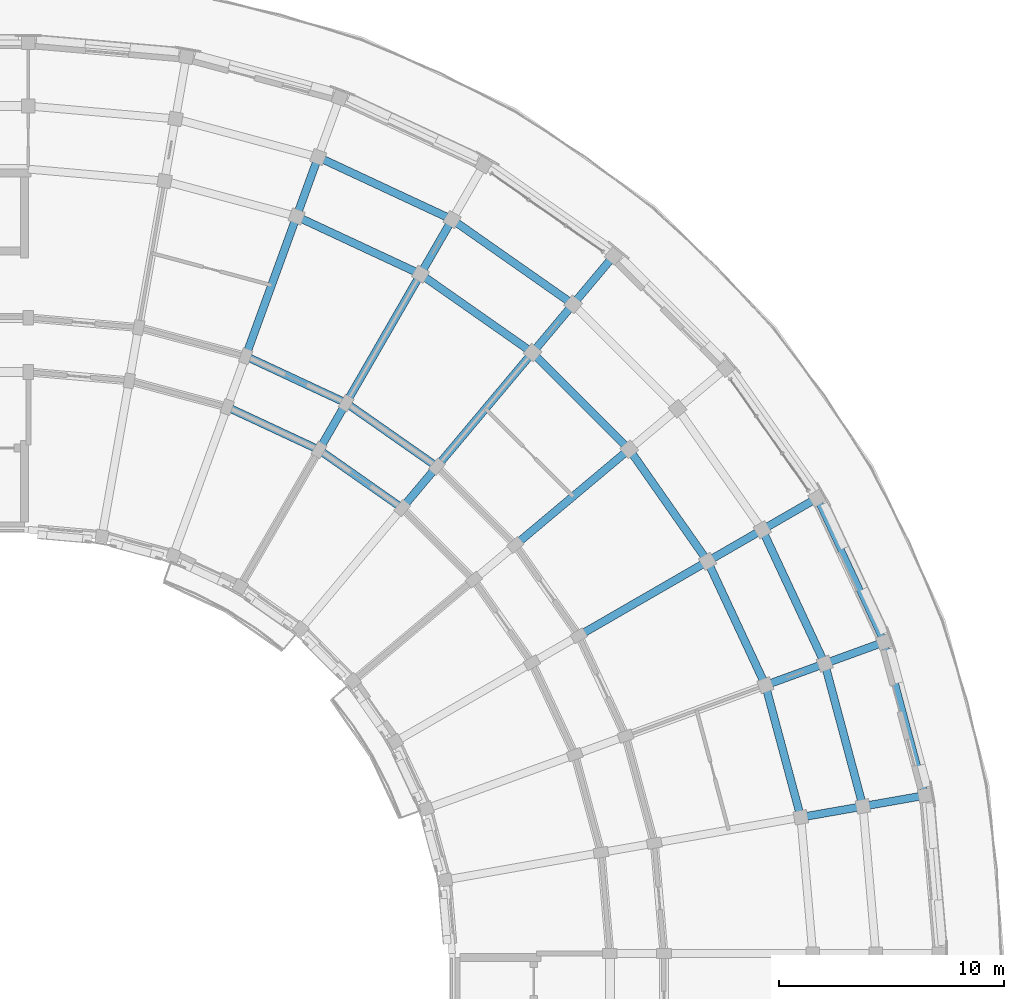
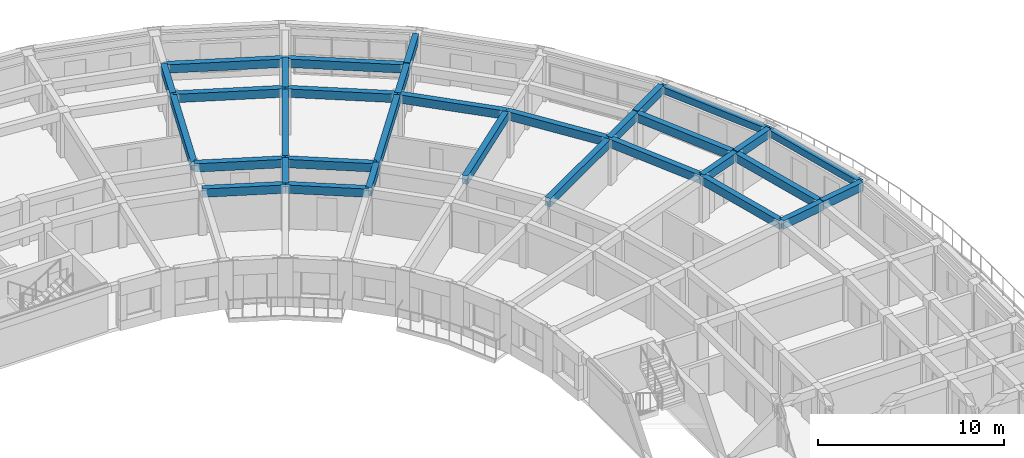
# One storey, part 9 of 41: 33 beams.
"""IFC4 building model written with IfcOpenShell, lengths in metres."""

from ifc_helpers import new_model, si_unit, direction, frame, origin, origin_2d, place, context, subcontext, project, spatial, rectangle, extrude, material, material_profile, profile_set, type_object, element, save


model = new_model("IFC4")

# Units and contexts
model_context = context("Model", 3, precision=1e-05, world=origin(), true_north=direction((0.0, 1.0)))
body_context = subcontext(model_context, "Body", "Model", "MODEL_VIEW")
ifc_project = project(units=[si_unit("LENGTHUNIT", "METRE"), si_unit("AREAUNIT", "SQUARE_METRE"), si_unit("VOLUMEUNIT", "CUBIC_METRE"), si_unit("PLANEANGLEUNIT", "RADIAN"), si_unit("MASSUNIT", "GRAM", prefix="KILO")], contexts=[model_context])

# Site, building, storey
site_placement = place(None, origin())
site = spatial("IfcSite", under=ifc_project, at=site_placement, CompositionType="ELEMENT")
building_placement = place(site_placement, origin())
building = spatial("IfcBuilding", under=site, at=building_placement, Name="Kiranvali Square Residences", CompositionType="ELEMENT")
storey_placement = place(building_placement, frame((0.0, 0.0, 33.89990234375)))
storey = spatial("IfcBuildingStorey", under=building, at=storey_placement, Name="L10", CompositionType="ELEMENT", Elevation=33.89990234375)

# Beams
ifc_material = material(Name="Concrete M40 (40 MPa)", Category="concrete")
ifc_material_profile_1 = material_profile(ifc_material, rectangle(XDim=0.35009765625, YDim=0.550048828125, at=origin_2d()), Name="RC 350x550")
ifc_profile_set_1 = profile_set([ifc_material_profile_1], Name="Concrete M40 (40 MPa)")
beam_type_1 = type_object("IfcBeamType", Name="BM-M40-350x550", PredefinedType="BEAM", material=ifc_profile_set_1)
beam_1_placement = place(storey_placement, frame((128.6240234375, 112.044189453125, 2.655029296875), z_axis=(0.906307919131, -0.422617978463, 0.0), x_axis=(0.422617978463, 0.906307919131, 0.0)))
element("IfcBeam", 1, at=beam_1_placement, inside=storey, type_object=beam_type_1, Name="L10 beam BM-B-L10-C02-R1", PredefinedType="BEAM", context=body_context, shape_type="SweptSolid", body=[
    extrude(rectangle(XDim=0.35009765625, YDim=0.550048828125, at=origin_2d()), origin(), (0.0, 0.0, 1.0), 4.497314453125),
])
beam_2_placement = place(storey_placement, frame((129.445068359375, 114.29931640625, 2.655029296875), z_axis=(0.906302381024, -0.422629854778, 0.0), x_axis=(0.422629854778, 0.906302381024, 0.0)))
element("IfcBeam", 2, at=beam_2_placement, inside=storey, type_object=beam_type_1, Name="L10 beam BM-B-L10-C02-R2", PredefinedType="BEAM", context=body_context, shape_type="SweptSolid", body=[
    extrude(rectangle(XDim=0.35009765625, YDim=0.550048828125, at=origin_2d()), origin(), (0.0, 0.0, 1.0), 4.915283203125),
])
beam_3_placement = place(storey_placement, frame((131.702392578125, 120.501220703125, 2.655029296875), z_axis=(0.906312656069, -0.42260781991, 0.0), x_axis=(0.42260781991, 0.906312656069, 0.0)))
element("IfcBeam", 3, at=beam_3_placement, inside=storey, type_object=beam_type_1, Name="L10 beam BM-B-L10-C02-R3", PredefinedType="BEAM", context=body_context, shape_type="SweptSolid", body=[
    extrude(rectangle(XDim=0.35009765625, YDim=0.550048828125, at=origin_2d()), origin(), (0.0, 0.0, 1.0), 6.06591796875),
])
beam_4_placement = place(storey_placement, frame((132.659912109375, 123.13232421875, 2.655029296875), z_axis=(0.906318225223, -0.422595876255, 0.0), x_axis=(0.422595876255, 0.906318225223, 0.0)))
element("IfcBeam", 4, at=beam_4_placement, inside=storey, type_object=beam_type_1, Name="L10 beam BM-B-L10-C02-R4", PredefinedType="BEAM", context=body_context, shape_type="SweptSolid", body=[
    extrude(rectangle(XDim=0.35009765625, YDim=0.550048828125, at=origin_2d()), origin(), (0.0, 0.0, 1.0), 6.55419921875),
])
beam_5_placement = place(storey_placement, frame((132.699951171875, 110.1435546875, 2.655029296875), z_axis=(0.819155404658, -0.573571637217, 0.0), x_axis=(0.573571637217, 0.819155404658, 0.0)))
element("IfcBeam", 5, at=beam_5_placement, inside=storey, type_object=beam_type_1, Name="L10 beam BM-B-L10-C03-R1", PredefinedType="BEAM", context=body_context, shape_type="SweptSolid", body=[
    extrude(rectangle(XDim=0.35009765625, YDim=0.550048828125, at=origin_2d()), origin(), (0.0, 0.0, 1.0), 4.497314453125),
])
beam_6_placement = place(storey_placement, frame((133.89990234375, 112.221923828125, 2.655029296875), z_axis=(0.819140911474, -0.573592335331, 0.0), x_axis=(0.573592335331, 0.819140911474, 0.0)))
element("IfcBeam", 6, at=beam_6_placement, inside=storey, type_object=beam_type_1, Name="L10 beam BM-B-L10-C03-R2", PredefinedType="BEAM", context=body_context, shape_type="SweptSolid", body=[
    extrude(rectangle(XDim=0.35009765625, YDim=0.550048828125, at=origin_2d()), origin(), (0.0, 0.0, 1.0), 4.915771484375),
])
beam_7_placement = place(storey_placement, frame((137.199951171875, 117.937744140625, 2.655029296875), z_axis=(0.81913926159, -0.573594691504, 0.0), x_axis=(0.573594691504, 0.81913926159, 0.0)))
element("IfcBeam", 7, at=beam_7_placement, inside=storey, type_object=beam_type_1, Name="L10 beam BM-B-L10-C03-R3", PredefinedType="BEAM", context=body_context, shape_type="SweptSolid", body=[
    extrude(rectangle(XDim=0.35009765625, YDim=0.550048828125, at=origin_2d()), origin(), (0.0, 0.0, 1.0), 6.066162109375),
])
beam_8_placement = place(storey_placement, frame((138.60009765625, 120.362548828125, 2.655029296875), z_axis=(0.819144409176, -0.573587340268, 0.0), x_axis=(0.573587340268, 0.819144409176, 0.0)))
element("IfcBeam", 8, at=beam_8_placement, inside=storey, type_object=beam_type_1, Name="L10 beam BM-B-L10-C03-R4", PredefinedType="BEAM", context=body_context, shape_type="SweptSolid", body=[
    extrude(rectangle(XDim=0.35009765625, YDim=0.550048828125, at=origin_2d()), origin(), (0.0, 0.0, 1.0), 6.553955078125),
])
beam_9_placement = place(storey_placement, frame((142.1689453125, 114.458251953125, 2.655029296875), z_axis=(0.707106781187, -0.707106781187, 0.0), x_axis=(0.707106781187, 0.707106781187, 0.0)))
element("IfcBeam", 9, at=beam_9_placement, inside=storey, type_object=beam_type_1, Name="L10 beam BM-B-L10-C04-R3", PredefinedType="BEAM", context=body_context, shape_type="SweptSolid", body=[
    extrude(rectangle(XDim=0.35009765625, YDim=0.550048828125, at=origin_2d()), origin(), (0.0, 0.0, 1.0), 6.06591796875),
])
beam_10_placement = place(storey_placement, frame((146.458251953125, 110.1689453125, 2.655029296875), z_axis=(0.573594691504, -0.81913926159, 0.0), x_axis=(0.81913926159, 0.573594691504, 0.0)))
element("IfcBeam", 10, at=beam_10_placement, inside=storey, type_object=beam_type_1, Name="L10 beam BM-B-L10-C05-R3", PredefinedType="BEAM", context=body_context, shape_type="SweptSolid", body=[
    extrude(rectangle(XDim=0.35009765625, YDim=0.550048828125, at=origin_2d()), origin(), (0.0, 0.0, 1.0), 6.066162109375),
])
beam_11_placement = place(storey_placement, frame((149.937744140625, 105.199951171875, 2.655029296875), z_axis=(0.42260781991, -0.906312656069, 0.0), x_axis=(0.906312656069, 0.42260781991, 0.0)))
element("IfcBeam", 11, at=beam_11_placement, inside=storey, type_object=beam_type_1, Name="L10 beam BM-B-L10-C06-R3", PredefinedType="BEAM", context=body_context, shape_type="SweptSolid", body=[
    extrude(rectangle(XDim=0.35009765625, YDim=0.550048828125, at=origin_2d()), origin(), (0.0, 0.0, 1.0), 6.06591796875),
])
beam_12_placement = place(storey_placement, frame((152.362548828125, 106.60009765625, 2.655029296875), z_axis=(0.422595876255, -0.906318225223, 0.0), x_axis=(0.906318225223, 0.422595876255, 0.0)))
element("IfcBeam", 12, at=beam_12_placement, inside=storey, type_object=beam_type_1, Name="L10 beam BM-B-L10-C06-R4", PredefinedType="BEAM", context=body_context, shape_type="SweptSolid", body=[
    extrude(rectangle(XDim=0.35009765625, YDim=0.550048828125, at=origin_2d()), origin(), (0.0, 0.0, 1.0), 6.55419921875),
])
beam_13_placement = place(storey_placement, frame((152.501220703125, 99.702392578125, 2.655029296875), z_axis=(0.258827283048, -0.965923618901, 0.0), x_axis=(0.965923618901, 0.258827283048, 0.0)))
element("IfcBeam", 13, at=beam_13_placement, inside=storey, type_object=beam_type_1, Name="L10 beam BM-B-L10-C07-R3", PredefinedType="BEAM", context=body_context, shape_type="SweptSolid", body=[
    extrude(rectangle(XDim=0.35009765625, YDim=0.550048828125, at=origin_2d()), origin(), (0.0, 0.0, 1.0), 6.066162109375),
])
beam_14_placement = place(storey_placement, frame((155.13232421875, 100.659912109375, 2.655029296875), z_axis=(0.258847178297, -0.965918287583, 0.0), x_axis=(0.965918287583, 0.258847178297, 0.0)))
element("IfcBeam", 14, at=beam_14_placement, inside=storey, type_object=beam_type_1, Name="L10 beam BM-B-L10-C07-R4", PredefinedType="BEAM", context=body_context, shape_type="SweptSolid", body=[
    extrude(rectangle(XDim=0.35009765625, YDim=0.550048828125, at=origin_2d()), origin(), (0.0, 0.0, 1.0), 6.55419921875),
])
beam_15_placement = place(storey_placement, frame((129.445068359375, 114.29931640625, 2.655029296875), z_axis=(0.342022238372, 0.939691858249, 0.0), x_axis=(-0.939691858249, 0.342022238372, 0.0)))
element("IfcBeam", 15, at=beam_15_placement, inside=storey, type_object=beam_type_1, Name="L10 beam BM-B-L10-RAD02-23", PredefinedType="BEAM", context=body_context, shape_type="SweptSolid", body=[
    extrude(rectangle(XDim=0.35009765625, YDim=0.550048828125, at=origin_2d()), origin(), (0.0, 0.0, 1.0), 6.599853515625),
])
beam_16_placement = place(storey_placement, frame((131.702392578125, 120.501220703125, 2.655029296875), z_axis=(0.341981089711, 0.93970683422, 0.0), x_axis=(-0.93970683422, 0.341981089711, 0.0)))
element("IfcBeam", 16, at=beam_16_placement, inside=storey, type_object=beam_type_1, Name="L10 beam BM-B-L10-RAD02-34", PredefinedType="BEAM", context=body_context, shape_type="SweptSolid", body=[
    extrude(rectangle(XDim=0.35009765625, YDim=0.550048828125, at=origin_2d()), origin(), (0.0, 0.0, 1.0), 2.7998046875),
])
beam_17_placement = place(storey_placement, frame((132.699951171875, 110.1435546875, 2.655029296875), z_axis=(0.500001309137, 0.866024647952, 0.0), x_axis=(-0.866024647952, 0.500001309137, 0.0)))
element("IfcBeam", 17, at=beam_17_placement, inside=storey, type_object=beam_type_1, Name="L10 beam BM-B-L10-RAD03-12", PredefinedType="BEAM", context=body_context, shape_type="SweptSolid", body=[
    extrude(rectangle(XDim=0.35009765625, YDim=0.550048828125, at=origin_2d()), origin(), (0.0, 0.0, 1.0), 2.39990234375),
])
beam_18_placement = place(storey_placement, frame((133.89990234375, 112.221923828125, 2.655029296875), z_axis=(0.500002094529, 0.866024194504, 0.0), x_axis=(-0.866024194504, 0.500002094529, 0.0)))
element("IfcBeam", 18, at=beam_18_placement, inside=storey, type_object=beam_type_1, Name="L10 beam BM-B-L10-RAD03-23", PredefinedType="BEAM", context=body_context, shape_type="SweptSolid", body=[
    extrude(rectangle(XDim=0.35009765625, YDim=0.550048828125, at=origin_2d()), origin(), (0.0, 0.0, 1.0), 6.60009765625),
])
beam_19_placement = place(storey_placement, frame((137.199951171875, 117.937744140625, 2.655029296875), z_axis=(0.500049511043, 0.865996816683, 0.0), x_axis=(-0.865996816683, 0.500049511043, 0.0)))
element("IfcBeam", 19, at=beam_19_placement, inside=storey, type_object=beam_type_1, Name="L10 beam BM-B-L10-RAD03-34", PredefinedType="BEAM", context=body_context, shape_type="SweptSolid", body=[
    extrude(rectangle(XDim=0.35009765625, YDim=0.550048828125, at=origin_2d()), origin(), (0.0, 0.0, 1.0), 2.800048828125),
])
beam_20_placement = place(storey_placement, frame((136.384033203125, 107.56396484375, 2.655029296875), z_axis=(0.642762521781, 0.766065493671, 0.0), x_axis=(-0.766065493671, 0.642762521781, 0.0)))
element("IfcBeam", 20, at=beam_20_placement, inside=storey, type_object=beam_type_1, Name="L10 beam BM-B-L10-RAD04-12", PredefinedType="BEAM", context=body_context, shape_type="SweptSolid", body=[
    extrude(rectangle(XDim=0.35009765625, YDim=0.550048828125, at=origin_2d()), origin(), (0.0, 0.0, 1.0), 2.399658203125),
])
beam_21_placement = place(storey_placement, frame((137.926513671875, 109.40234375, 2.655029296875), z_axis=(0.642789470807, 0.766042881449, 0.0), x_axis=(-0.766042881449, 0.642789470807, 0.0)))
element("IfcBeam", 21, at=beam_21_placement, inside=storey, type_object=beam_type_1, Name="L10 beam BM-B-L10-RAD04-23", PredefinedType="BEAM", context=body_context, shape_type="SweptSolid", body=[
    extrude(rectangle(XDim=0.35009765625, YDim=0.550048828125, at=origin_2d()), origin(), (0.0, 0.0, 1.0), 6.60009765625),
])
for number, where, z_axis, x_axis, name in (
    (22, (142.1689453125, 114.458251953125, 2.655029296875), (0.642770757628, 0.766058583359, 0.0), (-0.766058583359, 0.642770757628, 0.0), "L10 beam BM-B-L10-RAD04-34"),
    (23, (143.96875, 116.603271484375, 2.695068359375), (0.642770757628, 0.766058583359, 0.0), (-0.766058583359, 0.642770757628, 0.0), "L10 beam BM-B-L10-RAD04-45"),
):
    element("IfcBeam", number, at=place(storey_placement, frame(where, z_axis=z_axis, x_axis=x_axis)), inside=storey, type_object=beam_type_1, Name=name, PredefinedType="BEAM", context=body_context, shape_type="SweptSolid", body=[
        extrude(rectangle(XDim=0.35009765625, YDim=0.550048828125, at=origin_2d()), origin(), (0.0, 0.0, 1.0), 2.800048828125),
    ])
for number, where, z_axis, x_axis, name in (
    (24, (141.40234375, 105.926513671875, 2.655029296875), (0.766042881449, 0.642789470807, 0.0), (-0.642789470807, 0.766042881449, 0.0), "L10 beam BM-B-L10-RAD05-23"),
    (25, (144.221923828125, 101.89990234375, 2.655029296875), (0.866024194504, 0.500002094529, 0.0), (-0.500002094529, 0.866024194504, 0.0), "L10 beam BM-B-L10-RAD06-23"),
):
    element("IfcBeam", number, at=place(storey_placement, frame(where, z_axis=z_axis, x_axis=x_axis)), inside=storey, type_object=beam_type_1, Name=name, PredefinedType="BEAM", context=body_context, shape_type="SweptSolid", body=[
        extrude(rectangle(XDim=0.35009765625, YDim=0.550048828125, at=origin_2d()), origin(), (0.0, 0.0, 1.0), 6.60009765625),
    ])
beam_22_placement = place(storey_placement, frame((149.937744140625, 105.199951171875, 2.655029296875), z_axis=(0.865996816683, 0.500049511043, 0.0), x_axis=(-0.500049511043, 0.865996816683, 0.0)))
element("IfcBeam", 26, at=beam_22_placement, inside=storey, type_object=beam_type_1, Name="L10 beam BM-B-L10-RAD06-34", PredefinedType="BEAM", context=body_context, shape_type="SweptSolid", body=[
    extrude(rectangle(XDim=0.35009765625, YDim=0.550048828125, at=origin_2d()), origin(), (0.0, 0.0, 1.0), 2.800048828125),
])
for number, where, z_axis, x_axis, name in (
    (27, (152.362548828125, 106.60009765625, 2.695068359375), (0.866034573852, 0.49998411664, 0.0), (-0.49998411664, 0.866034573852, 0.0), "L10 beam BM-B-L10-RAD06-45"),
    (28, (152.501220703125, 99.702392578125, 2.655029296875), (0.93970683422, 0.341981089711, 0.0), (-0.341981089711, 0.93970683422, 0.0), "L10 beam BM-B-L10-RAD07-34"),
):
    element("IfcBeam", number, at=place(storey_placement, frame(where, z_axis=z_axis, x_axis=x_axis)), inside=storey, type_object=beam_type_1, Name=name, PredefinedType="BEAM", context=body_context, shape_type="SweptSolid", body=[
        extrude(rectangle(XDim=0.35009765625, YDim=0.550048828125, at=origin_2d()), origin(), (0.0, 0.0, 1.0), 2.7998046875),
    ])
beam_23_placement = place(storey_placement, frame((155.13232421875, 100.659912109375, 2.695068359375), z_axis=(0.939689011208, 0.342030060398, 0.0), x_axis=(-0.342030060398, 0.939689011208, 0.0)))
element("IfcBeam", 29, at=beam_23_placement, inside=storey, type_object=beam_type_1, Name="L10 beam BM-B-L10-RAD07-45", PredefinedType="BEAM", context=body_context, shape_type="SweptSolid", body=[
    extrude(rectangle(XDim=0.35009765625, YDim=0.550048828125, at=origin_2d()), origin(), (0.0, 0.0, 1.0), 2.80029296875),
])
beam_24_placement = place(storey_placement, frame((154.0712890625, 93.843017578125, 2.655029296875), z_axis=(0.984816895441, 0.173596320392, 0.0), x_axis=(-0.173596320392, 0.984816895441, 0.0)))
element("IfcBeam", 30, at=beam_24_placement, inside=storey, type_object=beam_type_1, Name="L10 beam BM-B-L10-RAD08-34", PredefinedType="BEAM", context=body_context, shape_type="SweptSolid", body=[
    extrude(rectangle(XDim=0.35009765625, YDim=0.550048828125, at=origin_2d()), origin(), (0.0, 0.0, 1.0), 2.800048828125),
])
beam_25_placement = place(storey_placement, frame((156.828857421875, 94.3291015625, 2.695068359375), z_axis=(0.984799355489, 0.173695795656, 0.0), x_axis=(-0.173695795656, 0.984799355489, 0.0)))
element("IfcBeam", 31, at=beam_25_placement, inside=storey, type_object=beam_type_1, Name="L10 beam BM-B-L10-RAD08-45", PredefinedType="BEAM", context=body_context, shape_type="SweptSolid", body=[
    extrude(rectangle(XDim=0.35009765625, YDim=0.550048828125, at=origin_2d()), origin(), (0.0, 0.0, 1.0), 2.7998046875),
])
ifc_material_profile_2 = material_profile(ifc_material, rectangle(XDim=0.300048828125, YDim=0.449951171875, at=origin_2d()), Name="RC 300x450")
ifc_profile_set_2 = profile_set([ifc_material_profile_2], Name="Concrete M40 (40 MPa)")
beam_type_2 = type_object("IfcBeamType", Name="SPN-M40-300x450", PredefinedType="SPANDREL", material=ifc_profile_set_2)
for number, where, z_axis, x_axis, name in (
    (32, (154.787353515625, 108.0, 2.7451171875), (0.422640621205, -0.906297360311, 0.0), (0.906297360311, 0.422640621205, 0.0), "L10 beam BM-B-L10-C06-R5"),
    (33, (157.763671875, 101.61767578125, 2.7451171875), (0.258799624492, -0.965931029817, 0.0), (0.965931029817, 0.258799624492, 0.0), "L10 beam BM-B-L10-C07-R5"),
):
    element("IfcBeam", number, at=place(storey_placement, frame(where, z_axis=z_axis, x_axis=x_axis)), inside=storey, type_object=beam_type_2, Name=name, PredefinedType="SPANDREL", context=body_context, shape_type="SweptSolid", body=[
        extrude(rectangle(XDim=0.300048828125, YDim=0.449951171875, at=origin_2d()), origin(), (0.0, 0.0, 1.0), 7.042236328125),
    ])

save(model, "model.ifc")
